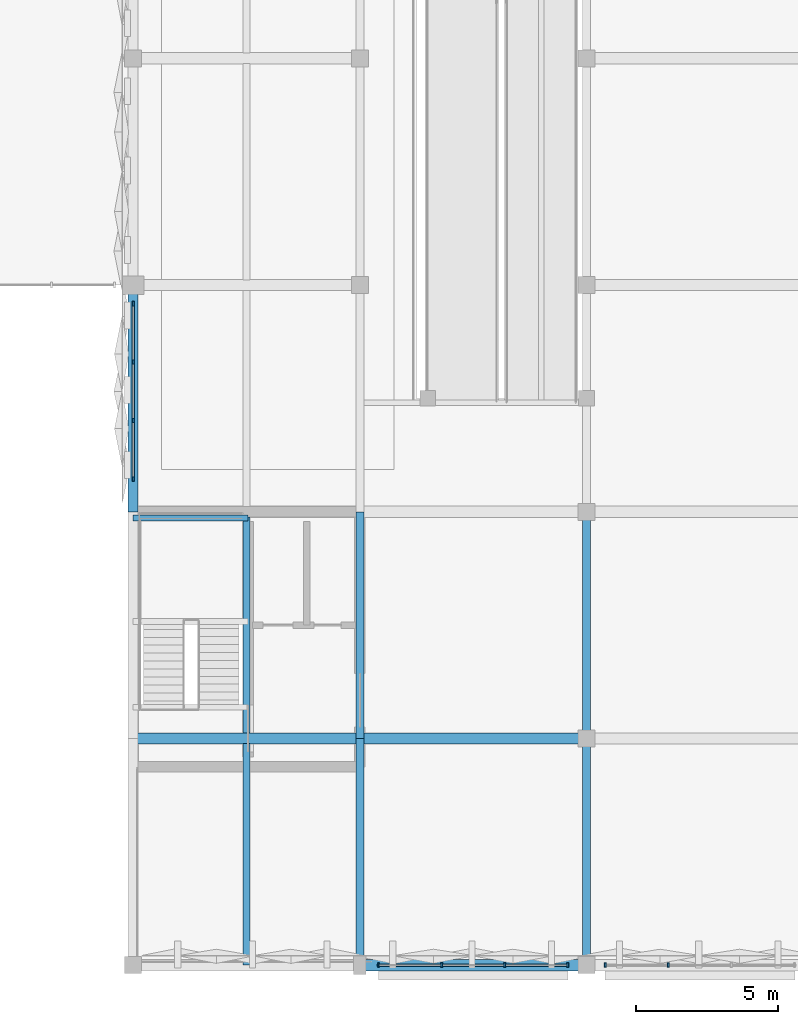
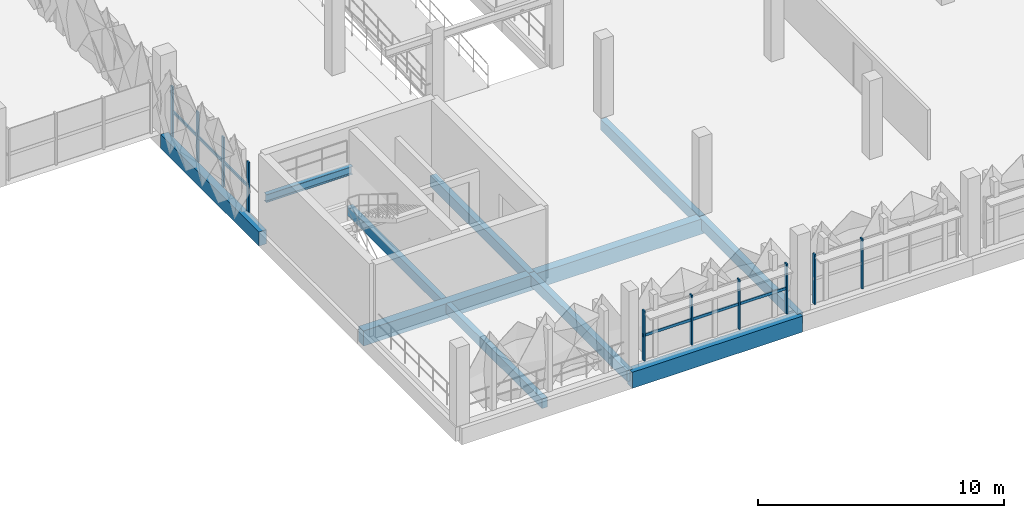
# One storey, part 41 of 123: 12 members, 11 beams, 3 elements without a shape of their own.
"""IFC4 building model written with IfcOpenShell, lengths in metres."""

import ifcopenshell
import ifcopenshell.guid

model = None  # the IFC model being written
_history = None  # IfcOwnerHistory: only IFC2X3 demands one
_inside = {}  # id of a spatial element -> (the spatial element, [elements in it])
_under = {}  # id of a project, library or spatial element -> (it, [spatial elements below it])
_declared = {}  # id of a project -> (the project, [libraries it declares])
_typed = {}  # id of a type object -> (the type object, [elements of that type])
_made_of = {}  # id of a material, layer set ... -> (it, [elements and type objects made of it])


def new_model(schema):
    """Start an empty IFC model of exactly this schema.

    Asked for "IFC4X3", IfcOpenShell would pick the latest addendum, in which some entities
    have other attributes; the version numbers below select the first issue.
    IFC2X3 requires an IfcOwnerHistory on every rooted entity: one is made here for all.
    """
    global model, _history
    if schema == "IFC4X3":
        model = ifcopenshell.file(schema_version=(4, 3, 0, 0))
    else:
        model = ifcopenshell.file(schema=schema)
    _inside.clear()
    _under.clear()
    _declared.clear()
    _typed.clear()
    _made_of.clear()
    _history = None
    if model.schema == "IFC2X3":
        org = make("IfcOrganization", Name="unknown")
        user = make(
            "IfcPersonAndOrganization",
            ThePerson=make("IfcPerson", FamilyName="unknown"),
            TheOrganization=org,
        )
        app = make(
            "IfcApplication",
            ApplicationDeveloper=org,
            Version="unknown",
            ApplicationFullName="unknown",
            ApplicationIdentifier="unknown",
        )
        _history = make(
            "IfcOwnerHistory",
            OwningUser=user,
            OwningApplication=app,
            ChangeAction="ADDED",
            CreationDate=0,
        )
    return model


def make(cls, **values):
    """One entity of the class cls with the attributes given. An attribute that is None is left unset."""
    return model.create_entity(
        cls, **{name: value for name, value in values.items() if value is not None}
    )


def rooted(cls, **values):
    """An entity with a GlobalId (a new one), such as an element, a storey or a relation."""
    return make(cls, GlobalId=ifcopenshell.guid.new(), OwnerHistory=_history, **values)


def si_unit(unit_type, name, prefix=None):
    """IfcSIUnit, for example si_unit("LENGTHUNIT", "METRE", prefix="MILLI")."""
    return make("IfcSIUnit", UnitType=unit_type, Prefix=prefix, Name=name)


def derived_unit(unit_type, elements):
    """IfcDerivedUnit: a product of units, each with its exponent."""
    return make(
        "IfcDerivedUnit",
        Elements=[
            make("IfcDerivedUnitElement", Unit=unit, Exponent=power)
            for unit, power in elements
        ],
        UnitType=unit_type,
    )


def assignment(units):
    """IfcUnitAssignment: the units of a project."""
    return None if units is None else make("IfcUnitAssignment", Units=units)


def point(xyz):
    """IfcCartesianPoint."""
    return None if xyz is None else make("IfcCartesianPoint", Coordinates=xyz)


def direction(xyz):
    """IfcDirection."""
    return None if xyz is None else make("IfcDirection", DirectionRatios=xyz)


def frame(location, z_axis=None, x_axis=None):
    """IfcAxis2Placement3D, a coordinate frame: its origin and axes. An axis left out is left unset."""
    return make(
        "IfcAxis2Placement3D",
        Location=point(location),
        Axis=direction(z_axis),
        RefDirection=direction(x_axis),
    )


def frame_2d(location, x_axis=None):
    """IfcAxis2Placement2D, a coordinate frame in the plane: its origin and x axis."""
    return make(
        "IfcAxis2Placement2D", Location=point(location), RefDirection=direction(x_axis)
    )


def origin():
    """The frame at (0, 0, 0) with its axes left unset."""
    return frame((0.0, 0.0, 0.0))


def origin_2d():
    """The frame at (0, 0) in the plane with its x axis left unset."""
    return frame_2d((0.0, 0.0))


def place(relative_to, where):
    """IfcLocalPlacement: puts the frame where relative to a parent placement (None: the world)."""
    return make(
        "IfcLocalPlacement", PlacementRelTo=relative_to, RelativePlacement=where
    )


def context(
    kind, dimensions, precision=None, world=None, true_north=None, identifier=None
):
    """IfcGeometricRepresentationContext, for example the 3D "Model" context."""
    return make(
        "IfcGeometricRepresentationContext",
        ContextIdentifier=identifier,
        ContextType=kind,
        CoordinateSpaceDimension=dimensions,
        Precision=precision,
        WorldCoordinateSystem=world,
        TrueNorth=true_north,
    )


def subcontext(parent, identifier, kind, view, scale=None):
    """IfcGeometricRepresentationSubContext, for example "Body" below "Model"."""
    return make(
        "IfcGeometricRepresentationSubContext",
        ContextIdentifier=identifier,
        ContextType=kind,
        ParentContext=parent,
        TargetScale=scale,
        TargetView=view,
    )


def project(units=None, contexts=None):
    """IfcProject with its units and contexts."""
    return rooted(
        "IfcProject",
        Name="project",
        RepresentationContexts=contexts,
        UnitsInContext=assignment(units),
    )


def spatial(cls, under=None, at=None, **own):
    """A site, building, storey or space (cls), placed at a placement, below another one or the project."""
    s = rooted(cls, ObjectPlacement=at, **own)
    if under is not None:
        _under.setdefault(under.id(), (under, []))[1].append(s)
    return s


def profile(cls, at=None, kind="AREA", **sizes):
    """A parametric profile (cls). Its sizes go by their IFC names, for example OverallWidth=200.0."""
    return make(cls, ProfileType=kind, Position=at, **sizes)


def rectangle(**sizes):
    """IfcRectangleProfileDef."""
    return profile("IfcRectangleProfileDef", **sizes)


def i_section(**sizes):
    """IfcIShapeProfileDef."""
    return profile("IfcIShapeProfileDef", **sizes)


def extrude(swept, where, along, depth):
    """IfcExtrudedAreaSolid: the profile swept, set in the frame where, extruded along a direction by depth."""
    return make(
        "IfcExtrudedAreaSolid",
        SweptArea=swept,
        Position=where,
        ExtrudedDirection=direction(along),
        Depth=depth,
    )


def shape(context_of_items, identifier, shape_type, items):
    """IfcShapeRepresentation: the items that make up one representation, for example the "Body"."""
    return make(
        "IfcShapeRepresentation",
        ContextOfItems=context_of_items,
        RepresentationIdentifier=identifier,
        RepresentationType=shape_type,
        Items=items,
    )


def material(Name=None, Category=None):
    """IfcMaterial."""
    return make("IfcMaterial", Name=Name, Category=Category)


def layer(
    of_material, thickness, ventilated=None, Name=None, Category=None, Priority=None
):
    """IfcMaterialLayer: one layer of a wall or slab, of a material (None: an air gap)."""
    return make(
        "IfcMaterialLayer",
        Material=of_material,
        LayerThickness=thickness,
        IsVentilated=ventilated,
        Name=Name,
        Category=Category,
        Priority=Priority,
    )


def layer_set(layers, Name=None):
    """IfcMaterialLayerSet."""
    return make("IfcMaterialLayerSet", MaterialLayers=layers, LayerSetName=Name)


def material_profile(
    of_material, cross_section, Name=None, Category=None, Priority=None
):
    """IfcMaterialProfile: a cross section and its material."""
    return make(
        "IfcMaterialProfile",
        Name=Name,
        Material=of_material,
        Profile=cross_section,
        Priority=Priority,
        Category=Category,
    )


def profile_set(profiles, Name=None, composite=None):
    """IfcMaterialProfileSet."""
    return make(
        "IfcMaterialProfileSet",
        Name=Name,
        MaterialProfiles=profiles,
        CompositeProfile=composite,
    )


def made_of(thing, what):
    """Note that an element or type object is made of a material, layer set ...; save() writes the relation."""
    if what is not None:
        _made_of.setdefault(what.id(), (what, []))[1].append(thing)
    return thing


def type_object(cls, material=None, **own):
    """A type object (cls), such as IfcWallType, which elements share."""
    return made_of(rooted(cls, **own), material)


def element(
    cls,
    number,
    at=None,
    inside=None,
    cuts=None,
    type_object=None,
    material=None,
    context=None,
    identifier="Body",
    shape_type=None,
    held_by="IfcProductDefinitionShape",
    body=None,
    shapes=None,
    **own,
):
    """One element of the class cls, such as IfcWall. Its Tag is "e" and its number.

    at: its placement. inside: the storey or other place that contains it. cuts: it is an
    opening in that element (IfcRelVoidsElement). A single representation is given by context,
    identifier, shape_type and body (its items); several are given by shapes. held_by: the class
    of the entity that holds the representations. save() writes the other relations.
    """
    e = rooted(cls, Tag="e%d" % number, ObjectPlacement=at, **own)
    if body is not None:
        shapes = [shape(context, identifier, shape_type, body)]
    if shapes is not None:
        e.Representation = make(held_by, Representations=shapes)
    if inside is not None:
        _inside.setdefault(inside.id(), (inside, []))[1].append(e)
    if cuts is not None:
        rooted(
            "IfcRelVoidsElement", RelatingBuildingElement=cuts, RelatedOpeningElement=e
        )
    if type_object is not None:
        _typed.setdefault(type_object.id(), (type_object, []))[1].append(e)
    return made_of(e, material)


def aggregate(whole, parts):
    """IfcRelAggregates: a whole, such as a stair, and the parts it consists of."""
    return rooted("IfcRelAggregates", RelatingObject=whole, RelatedObjects=parts)


def save(model, path):
    """Write the relations noted so far, then the file.

    IfcRelAggregates (storeys below a building ...), IfcRelContainedInSpatialStructure (elements
    in a storey), IfcRelDefinesByType, IfcRelAssociatesMaterial and IfcRelDeclares: one each for
    every whole, place, type object, material and project.
    """
    for whole, parts in _under.values():
        aggregate(whole, parts)
    for where, things in _inside.values():
        rooted(
            "IfcRelContainedInSpatialStructure",
            RelatedElements=things,
            RelatingStructure=where,
        )
    for kind, things in _typed.values():
        rooted("IfcRelDefinesByType", RelatedObjects=things, RelatingType=kind)
    for what, things in _made_of.values():
        rooted("IfcRelAssociatesMaterial", RelatedObjects=things, RelatingMaterial=what)
    for by, libraries in _declared.values():
        rooted("IfcRelDeclares", RelatingContext=by, RelatedDefinitions=libraries)
    model.write(path)


model = new_model("IFC4")

# Units and contexts
model_context = context("Model", 3, precision=1e-05, world=origin(), true_north=direction((0.0, 1.0)))
body_context = subcontext(model_context, "Body", "Model", "MODEL_VIEW")
ifc_project = project(units=[si_unit("LENGTHUNIT", "METRE"), si_unit("AREAUNIT", "SQUARE_METRE"), si_unit("VOLUMEUNIT", "CUBIC_METRE"), si_unit("PLANEANGLEUNIT", "RADIAN"), si_unit("MASSUNIT", "GRAM", prefix="KILO"), si_unit("THERMODYNAMICTEMPERATUREUNIT", "KELVIN"), derived_unit("THERMALTRANSMITTANCEUNIT", [(si_unit("POWERUNIT", "WATT"), 1), (si_unit("AREAUNIT", "SQUARE_METRE"), -1), (si_unit("THERMODYNAMICTEMPERATUREUNIT", "KELVIN"), -1)])], contexts=[model_context])

# Site, building, storey
site_placement = place(None, origin())
site = spatial("IfcSite", under=ifc_project, at=site_placement, CompositionType="ELEMENT")
building_placement = place(site_placement, origin())
building = spatial("IfcBuilding", under=site, at=building_placement, Name="Haiyu Intermodal Mobility Hub", CompositionType="ELEMENT")
storey_placement = place(building_placement, frame((0.0, 0.0, 5.60009765625)))
storey = spatial("IfcBuildingStorey", under=building, at=storey_placement, Name="L01", CompositionType="ELEMENT", Elevation=5.60009765625)

# Beams
ifc_material_1 = material(Name="Concrete C40", Category="concrete")
ifc_material_profile_1 = material_profile(ifc_material_1, rectangle(XDim=0.39990234375, YDim=0.75, at=origin_2d()), Name="RCB400x750")
ifc_profile_set_1 = profile_set([ifc_material_profile_1], Name="Concrete C40")
beam_type_1 = type_object("IfcBeamType", Name="BM-CB03", PredefinedType="BEAM", material=ifc_profile_set_1)
for number, where, z_axis, x_axis, name in (
    (1, (154.0, 24.0, -0.635009765625), (1.0, 0.0, 0.0), (0.0, 1.0, 0.0), "BM-V5G-L01-007"),
    (2, (162.0, 24.0, -0.635009765625), (1.0, 0.0, 0.0), (0.0, 1.0, 0.0), "BM-V5G-L01-008"),
):
    element("IfcBeam", number, at=place(storey_placement, frame(where, z_axis=z_axis, x_axis=x_axis)), inside=storey, type_object=beam_type_1, Name=name, PredefinedType="BEAM", context=body_context, shape_type="SweptSolid", body=[
        extrude(rectangle(XDim=0.39990234375, YDim=0.75, at=origin_2d()), origin(), (0.0, 0.0, 1.0), 8.0),
    ])
ifc_material_profile_2 = material_profile(ifc_material_1, rectangle(XDim=0.39990234375, YDim=0.800048828125, at=origin_2d()), Name="RCB400x800")
ifc_profile_set_2 = profile_set([ifc_material_profile_2], Name="Concrete C40")
beam_type_2 = type_object("IfcBeamType", Name="BM-CB05", PredefinedType="BEAM", material=ifc_profile_set_2)
beam_1_placement = place(storey_placement, frame((162.0, 16.0, -0.66015625), z_axis=(1.0, 0.0, 0.0), x_axis=(0.0, 1.0, 0.0)))
element("IfcBeam", 3, at=beam_1_placement, inside=storey, type_object=beam_type_2, Name="BM-V5G-L01-002", PredefinedType="BEAM", context=body_context, shape_type="SweptSolid", body=[
    extrude(rectangle(XDim=0.39990234375, YDim=0.800048828125, at=origin_2d()), origin(), (0.0, 0.0, 1.0), 8.0),
])
ifc_material_profile_3 = material_profile(ifc_material_1, rectangle(XDim=0.35009765625, YDim=0.699951171875, at=origin_2d()), Name="RCB350x700")
ifc_profile_set_3 = profile_set([ifc_material_profile_3], Name="Concrete C40")
beam_type_3 = type_object("IfcBeamType", Name="BM-CB06", PredefinedType="BEAM", material=ifc_profile_set_3)
beam_2_placement = place(storey_placement, frame((154.0, 32.0, -0.610107421875), z_axis=(0.0, 1.0, 0.0), x_axis=(-1.0, 0.0, 0.0)))
element("IfcBeam", 4, at=beam_2_placement, inside=storey, type_object=beam_type_3, Name="BM-V5T-L01-003", PredefinedType="BEAM", context=body_context, shape_type="SweptSolid", body=[
    extrude(rectangle(XDim=0.35009765625, YDim=0.699951171875, at=origin_2d()), origin(), (0.0, 0.0, 1.0), 8.0),
])
ifc_material_profile_4 = material_profile(ifc_material_1, rectangle(XDim=0.280029296875, YDim=0.5400390625, at=origin_2d()), Name="RCB280x540")
ifc_profile_set_4 = profile_set([ifc_material_profile_4], Name="Concrete C40")
beam_type_4 = type_object("IfcBeamType", Name="BM-CB08", PredefinedType="JOIST", material=ifc_profile_set_4)
for number, where, z_axis, x_axis, name in (
    (5, (162.0, 16.0, -0.530029296875), (0.0, 1.0, 0.0), (-1.0, 0.0, 0.0), "BM-V5T-L01-009"),
    (6, (162.0, 24.0, -0.530029296875), (0.0, 1.0, 0.0), (-1.0, 0.0, 0.0), "BM-V5T-L01-010"),
    (7, (170.0, 16.0, -0.530029296875), (0.0, 1.0, 0.0), (-1.0, 0.0, 0.0), "BM-V5T-L01-017"),
    (8, (170.0, 24.0, -0.530029296875), (0.0, 1.0, 0.0), (-1.0, 0.0, 0.0), "BM-V5T-L01-018"),
):
    element("IfcBeam", number, at=place(storey_placement, frame(where, z_axis=z_axis, x_axis=x_axis)), inside=storey, type_object=beam_type_4, Name=name, PredefinedType="JOIST", context=body_context, shape_type="SweptSolid", body=[
        extrude(rectangle(XDim=0.280029296875, YDim=0.5400390625, at=origin_2d()), origin(), (0.0, 0.0, 1.0), 8.0),
    ])
ifc_material_profile_5 = material_profile(ifc_material_1, rectangle(XDim=0.25, YDim=0.47998046875, at=origin_2d()), Name="RCB250x480")
ifc_profile_set_5 = profile_set([ifc_material_profile_5], Name="Concrete C40")
beam_type_5 = type_object("IfcBeamType", Name="BM-CB09", PredefinedType="JOIST", material=ifc_profile_set_5)
beam_3_placement = place(storey_placement, frame((158.0, 16.0, -0.5), z_axis=(0.0, 1.0, 0.0), x_axis=(-1.0, 0.0, 0.0)))
element("IfcBeam", 9, at=beam_3_placement, inside=storey, type_object=beam_type_5, Name="BM-V5J-L01-001", PredefinedType="JOIST", context=body_context, shape_type="SweptSolid", body=[
    extrude(rectangle(XDim=0.25, YDim=0.47998046875, at=origin_2d()), origin(), (0.0, 0.0, 1.0), 7.81494140625),
])
beam_4_placement = place(storey_placement, frame((158.0, 24.18505859375, -0.5), z_axis=(0.0, 1.0, 0.0), x_axis=(-1.0, 0.0, 0.0)))
element("IfcBeam", 10, at=beam_4_placement, inside=storey, type_object=beam_type_5, Name="BM-V5J-L01-002", PredefinedType="JOIST", context=body_context, shape_type="SweptSolid", body=[
    extrude(rectangle(XDim=0.25, YDim=0.47998046875, at=origin_2d()), origin(), (0.0, 0.0, 1.0), 7.6298828125),
])
ifc_material_2 = material(Name="Steel Q355C", Category="steel")
ifc_material_profile_6 = material_profile(ifc_material_2, i_section(OverallWidth=0.199951171875, OverallDepth=0.39990234375, WebThickness=0.008056640625, FlangeThickness=0.012939453125, FilletRadius=0.01611328125, at=origin_2d()), Name="HN400x200x8x13")
ifc_profile_set_6 = profile_set([ifc_material_profile_6], Name="Steel Q355C")
beam_type_6 = type_object("IfcBeamType", Name="BM-SB08", PredefinedType="JOIST", material=ifc_profile_set_6)
beam_5_placement = place(storey_placement, frame((154.0, 31.780029296875, 1.52490234375), z_axis=(1.0, 0.0, 0.0), x_axis=(0.0, 1.0, 0.0)))
element("IfcBeam", 11, at=beam_5_placement, inside=storey, type_object=beam_type_6, Name="Stair Half-Landing Rear Beam C8-L01", PredefinedType="JOIST", context=body_context, shape_type="SweptSolid", body=[
    extrude(i_section(OverallWidth=0.199951171875, OverallDepth=0.39990234375, WebThickness=0.008056640625, FlangeThickness=0.012939453125, FilletRadius=0.01611328125, at=origin_2d()), origin(), (0.0, 0.0, 1.0), 4.050048828125),
])

# Curtain wall, members
ifc_material_3 = material(Name="Low-e laminated insulating glass", Category="glass")
ifc_layer = layer(ifc_material_3, 0.2099609375)
ifc_layer_set = layer_set([ifc_layer], Name="Low-e laminated insulating glass")
curtain_wall_type = type_object("IfcCurtainWallType", Name="CW-CW04", PredefinedType="NOTDEFINED", material=ifc_layer_set)
curtain_wall_1_placement = place(storey_placement, origin())
curtain_wall_1 = element("IfcCurtainWall", 12, at=curtain_wall_1_placement, inside=storey, type_object=curtain_wall_type, Name="Curtain Wall CW-V5S-L01-094", PredefinedType="NOTDEFINED")
ifc_material_4 = material(Name="Anodised aluminium 6063-T6", Category="aluminium")
ifc_material_profile_7 = material_profile(ifc_material_4, rectangle(XDim=0.06494140625, YDim=0.1650390625, at=origin_2d()), Name="ALU65x165")
ifc_profile_set_7 = profile_set([ifc_material_profile_7], Name="Anodised aluminium 6063-T6")
member_type_1 = type_object("IfcMemberType", Name="CWM-ML02", PredefinedType="MULLION", material=ifc_profile_set_7)
member_1_placement = place(storey_placement, frame((162.659912109375, 16.0, 0.0), z_axis=(0.0, 0.0, 1.0), x_axis=(1.0, 0.0, 0.0)))
member_1 = element("IfcMember", 13, at=member_1_placement, type_object=member_type_1, Name="CW-V5S-L01-094-ML01", PredefinedType="MULLION", context=body_context, shape_type="SweptSolid", body=[
    extrude(rectangle(XDim=0.06494140625, YDim=0.1650390625, at=origin_2d()), origin(), (0.0, 0.0, 1.0), 2.47998046875),
])
member_2_placement = place(storey_placement, frame((164.886962890625, 16.0, 0.0), z_axis=(0.0, 0.0, 1.0), x_axis=(1.0, 0.0, 0.0)))
member_2 = element("IfcMember", 14, at=member_2_placement, type_object=member_type_1, Name="CW-V5S-L01-094-ML02", PredefinedType="MULLION", context=body_context, shape_type="SweptSolid", body=[
    extrude(rectangle(XDim=0.06494140625, YDim=0.1650390625, at=origin_2d()), origin(), (0.0, 0.0, 1.0), 2.47998046875),
])
member_3_placement = place(storey_placement, frame((167.113037109375, 16.0, 0.0), z_axis=(0.0, 0.0, 1.0), x_axis=(1.0, 0.0, 0.0)))
member_3 = element("IfcMember", 15, at=member_3_placement, type_object=member_type_1, Name="CW-V5S-L01-094-ML03", PredefinedType="MULLION", context=body_context, shape_type="SweptSolid", body=[
    extrude(rectangle(XDim=0.06494140625, YDim=0.1650390625, at=origin_2d()), origin(), (0.0, 0.0, 1.0), 2.47998046875),
])
member_4_placement = place(storey_placement, frame((169.340087890625, 16.0, 0.0), z_axis=(0.0, 0.0, 1.0), x_axis=(1.0, 0.0, 0.0)))
member_4 = element("IfcMember", 16, at=member_4_placement, type_object=member_type_1, Name="CW-V5S-L01-094-ML04", PredefinedType="MULLION", context=body_context, shape_type="SweptSolid", body=[
    extrude(rectangle(XDim=0.06494140625, YDim=0.1650390625, at=origin_2d()), origin(), (0.0, 0.0, 1.0), 2.47998046875),
])

curtain_wall_2_placement = place(storey_placement, origin())
curtain_wall_2 = element("IfcCurtainWall", 17, at=curtain_wall_2_placement, inside=storey, type_object=curtain_wall_type, Name="Curtain Wall CW-V5S-L01-095", PredefinedType="NOTDEFINED")
member_5_placement = place(storey_placement, frame((170.659912109375, 16.0, 0.0), z_axis=(0.0, 0.0, 1.0), x_axis=(1.0, 0.0, 0.0)))
member_5 = element("IfcMember", 18, at=member_5_placement, type_object=member_type_1, Name="CW-V5S-L01-095-ML01", PredefinedType="MULLION", context=body_context, shape_type="SweptSolid", body=[
    extrude(rectangle(XDim=0.06494140625, YDim=0.1650390625, at=origin_2d()), origin(), (0.0, 0.0, 1.0), 2.47998046875),
])
member_6_placement = place(storey_placement, frame((172.886962890625, 16.0, 0.0), z_axis=(0.0, 0.0, 1.0), x_axis=(1.0, 0.0, 0.0)))
member_6 = element("IfcMember", 19, at=member_6_placement, type_object=member_type_1, Name="CW-V5S-L01-095-ML02", PredefinedType="MULLION", context=body_context, shape_type="SweptSolid", body=[
    extrude(rectangle(XDim=0.06494140625, YDim=0.1650390625, at=origin_2d()), origin(), (0.0, 0.0, 1.0), 2.47998046875),
])
aggregate(curtain_wall_2, [member_5, member_6])

curtain_wall_3_placement = place(storey_placement, origin())
curtain_wall_3 = element("IfcCurtainWall", 20, at=curtain_wall_3_placement, inside=storey, type_object=curtain_wall_type, Name="Curtain Wall CW-V5W-L01-105", PredefinedType="NOTDEFINED")
member_7_placement = place(storey_placement, frame((154.0, 39.340087890625, 0.0), z_axis=(0.0, 0.0, 1.0), x_axis=(1.0, 0.0, 0.0)))
member_7 = element("IfcMember", 21, at=member_7_placement, type_object=member_type_1, Name="CW-V5W-L01-105-ML01", PredefinedType="MULLION", context=body_context, shape_type="SweptSolid", body=[
    extrude(rectangle(XDim=0.06494140625, YDim=0.1650390625, at=origin_2d()), origin(), (0.0, 0.0, 1.0), 2.47998046875),
])
member_8_placement = place(storey_placement, frame((154.0, 37.280029296875, 0.0), z_axis=(0.0, 0.0, 1.0), x_axis=(1.0, 0.0, 0.0)))
member_8 = element("IfcMember", 22, at=member_8_placement, type_object=member_type_1, Name="CW-V5W-L01-105-ML02", PredefinedType="MULLION", context=body_context, shape_type="SweptSolid", body=[
    extrude(rectangle(XDim=0.06494140625, YDim=0.1650390625, at=origin_2d()), origin(), (0.0, 0.0, 1.0), 2.47998046875),
])
member_9_placement = place(storey_placement, frame((154.0, 35.219970703125, 0.0), z_axis=(0.0, 0.0, 1.0), x_axis=(1.0, 0.0, 0.0)))
member_9 = element("IfcMember", 23, at=member_9_placement, type_object=member_type_1, Name="CW-V5W-L01-105-ML03", PredefinedType="MULLION", context=body_context, shape_type="SweptSolid", body=[
    extrude(rectangle(XDim=0.06494140625, YDim=0.1650390625, at=origin_2d()), origin(), (0.0, 0.0, 1.0), 2.47998046875),
])
member_10_placement = place(storey_placement, frame((154.0, 33.159912109375, 0.0), z_axis=(0.0, 0.0, 1.0), x_axis=(1.0, 0.0, 0.0)))
member_10 = element("IfcMember", 24, at=member_10_placement, type_object=member_type_1, Name="CW-V5W-L01-105-ML04", PredefinedType="MULLION", context=body_context, shape_type="SweptSolid", body=[
    extrude(rectangle(XDim=0.06494140625, YDim=0.1650390625, at=origin_2d()), origin(), (0.0, 0.0, 1.0), 2.47998046875),
])

# Member
ifc_material_profile_8 = material_profile(ifc_material_4, rectangle(XDim=0.06494140625, YDim=0.135009765625, at=origin_2d()), Name="ALU65x135")
ifc_profile_set_8 = profile_set([ifc_material_profile_8], Name="Anodised aluminium 6063-T6")
member_type_2 = type_object("IfcMemberType", Name="CWM-TR02", PredefinedType="USERDEFINED", material=ifc_profile_set_8)
member_11_placement = place(storey_placement, frame((162.6201171875, 16.0, 1.239990234375), z_axis=(1.0, 0.0, 0.0), x_axis=(0.0, 1.0, 0.0)))
member_11 = element("IfcMember", 25, at=member_11_placement, type_object=member_type_2, Name="CW-V5S-L01-094-TR01", ObjectType="TRANSOM", PredefinedType="USERDEFINED", context=body_context, shape_type="SweptSolid", body=[
    extrude(rectangle(XDim=0.06494140625, YDim=0.135009765625, at=origin_2d()), origin(), (0.0, 0.0, 1.0), 6.759765625),
])

aggregate(curtain_wall_1, [member_1, member_2, member_3, member_4, member_11])

member_12_placement = place(storey_placement, frame((154.0, 39.3798828125, 1.239990234375), z_axis=(0.0, -1.0, 0.0), x_axis=(1.0, 0.0, 0.0)))
member_12 = element("IfcMember", 26, at=member_12_placement, type_object=member_type_2, Name="CW-V5W-L01-105-TR01", ObjectType="TRANSOM", PredefinedType="USERDEFINED", context=body_context, shape_type="SweptSolid", body=[
    extrude(rectangle(XDim=0.06494140625, YDim=0.135009765625, at=origin_2d()), origin(), (0.0, 0.0, 1.0), 6.259765625),
])

aggregate(curtain_wall_3, [member_7, member_8, member_9, member_10, member_12])

save(model, "model.ifc")
